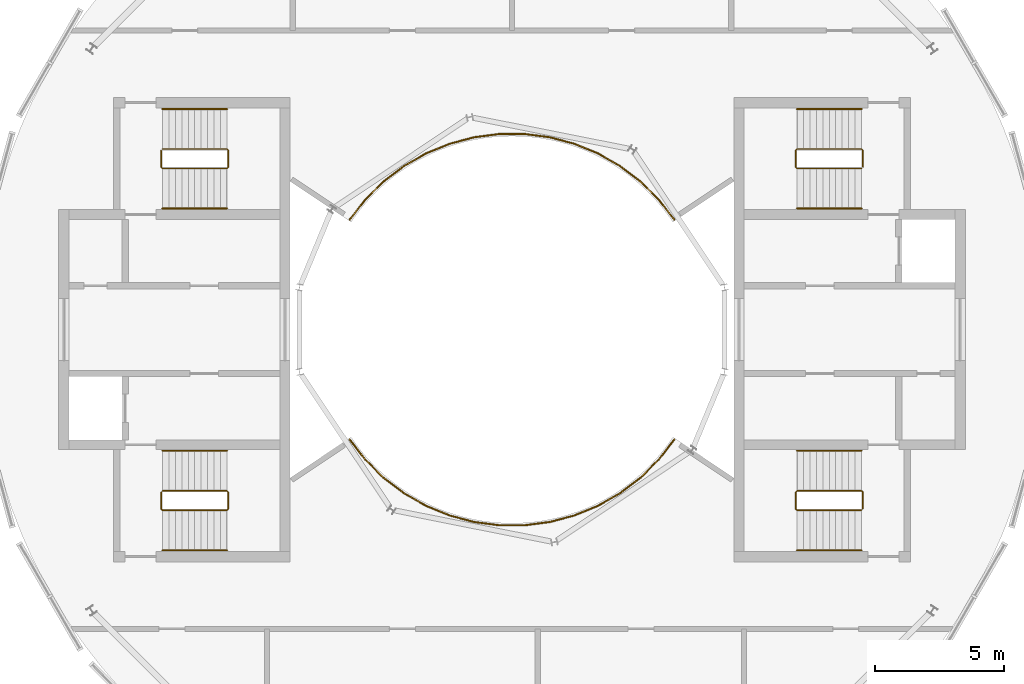
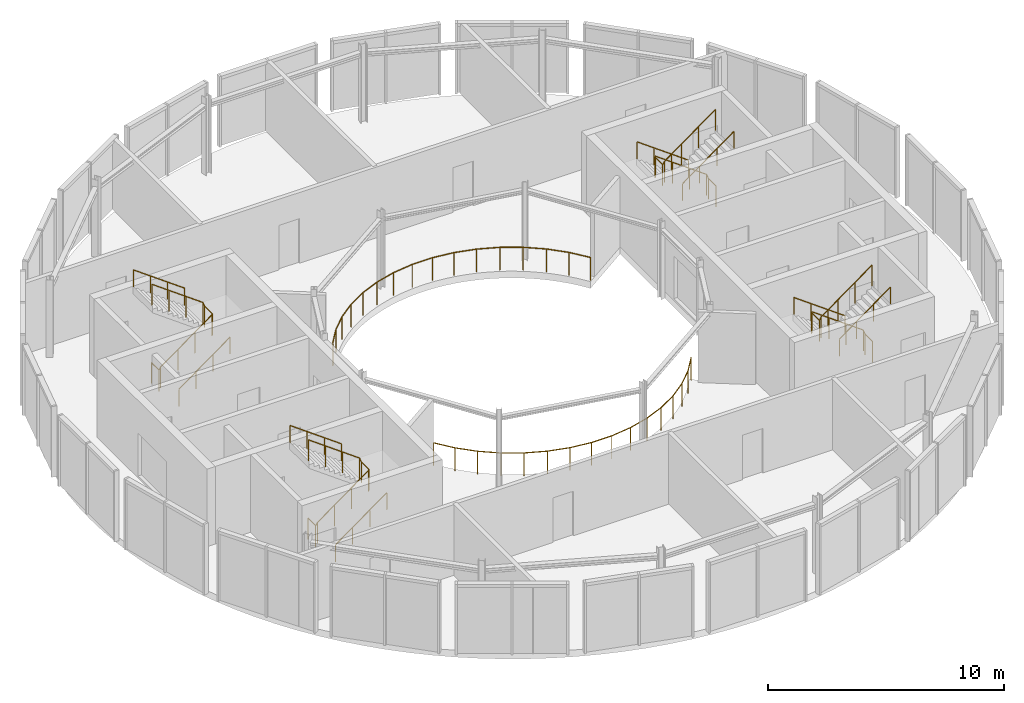
# One storey, part 12 of 12: 14 railings.
"""IFC4 building model written with IfcOpenShell, lengths in metres."""

from ifc_helpers import new_model, si_unit, direction, frame, origin, origin_2d, place, context, subcontext, project, spatial, circle, extrude, material, type_object, element, save


model = new_model("IFC4")

# Units and contexts
model_context = context("Model", 3, precision=1e-05, world=origin(), true_north=direction((0.0, 1.0)))
body_context = subcontext(model_context, "Body", "Model", "MODEL_VIEW")
ifc_project = project(units=[si_unit("LENGTHUNIT", "METRE"), si_unit("AREAUNIT", "SQUARE_METRE"), si_unit("VOLUMEUNIT", "CUBIC_METRE"), si_unit("PLANEANGLEUNIT", "RADIAN"), si_unit("MASSUNIT", "GRAM", prefix="KILO")], contexts=[model_context])

# Site, building, storey
site_placement = place(None, origin())
site = spatial("IfcSite", under=ifc_project, at=site_placement, CompositionType="ELEMENT")
building_placement = place(site_placement, origin())
building = spatial("IfcBuilding", under=site, at=building_placement, Name="Maasbend Ring Residences", CompositionType="ELEMENT")
storey_placement = place(building_placement, frame((0.0, 0.0, 261.5)))
storey = spatial("IfcBuildingStorey", under=building, at=storey_placement, Name="L75", CompositionType="ELEMENT", Elevation=261.5)

# Railings
ifc_material_1 = material(Name="Stainless steel 316 and glass", Category="steel")
railing_type_1 = type_object("IfcRailingType", Name="RL-GUARD", PredefinedType="GUARDRAIL", material=ifc_material_1)
railing_1_placement = place(storey_placement, frame((6.296875, 4.25537109375, 0.0)))
element("IfcRailing", 1, at=railing_1_placement, inside=storey, type_object=railing_type_1, Name="Well guard 1", PredefinedType="GUARDRAIL", context=body_context, shape_type="SweptSolid", body=[
    extrude(circle(Radius=0.02490234375, at=origin_2d()), frame((0.0, 0.0, 1.1748046875), z_axis=(-0.61260637429, 0.790388151593, 0.0), x_axis=(-0.790388151593, -0.61260637429, 0.0)), (0.0, 0.0, 1.0), 0.98876953125),
    extrude(circle(Radius=0.02490234375, at=origin_2d()), frame((-0.605712890625, 0.781494140625, 1.1748046875), z_axis=(-0.710063286319, 0.704137862511, 0.0), x_axis=(-0.704137862511, -0.710063286319, 0.0)), (0.0, 0.0, 1.0), 0.98876953125),
    extrude(circle(Radius=0.02490234375, at=origin_2d()), frame((-1.307861328125, 1.477783203125, 1.1748046875), z_axis=(-0.795414718638, 0.606065528944, 0.0), x_axis=(-0.606065528944, -0.795414718638, 0.0)), (0.0, 0.0, 1.0), 0.989013671875),
    extrude(circle(Radius=0.02490234375, at=origin_2d()), frame((-2.094482421875, 2.0771484375, 1.1748046875), z_axis=(-0.867436652983, 0.497547638987, 0.0), x_axis=(-0.497547638987, -0.867436652983, 0.0)), (0.0, 0.0, 1.0), 0.98876953125),
    extrude(circle(Radius=0.02490234375, at=origin_2d()), frame((-2.9521484375, 2.569091796875, 1.1748046875), z_axis=(-0.924683211941, 0.380737386599, 0.0), x_axis=(-0.380737386599, -0.924683211941, 0.0)), (0.0, 0.0, 1.0), 0.98876953125),
    extrude(circle(Radius=0.02490234375, at=origin_2d()), frame((-3.866455078125, 2.945556640625, 1.1748046875), z_axis=(-0.966279997956, 0.257493622348, 0.0), x_axis=(-0.257493622348, -0.966279997956, 0.0)), (0.0, 0.0, 1.0), 0.989013671875),
    extrude(circle(Radius=0.02490234375, at=origin_2d()), frame((-4.822021484375, 3.2001953125, 1.1748046875), z_axis=(-0.991531433773, 0.129866915878, 0.0), x_axis=(-0.129866915878, -0.991531433773, 0.0)), (0.0, 0.0, 1.0), 0.98876953125),
    extrude(circle(Radius=0.02490234375, at=origin_2d()), frame((-5.802490234375, 3.32861328125, 1.1748046875), z_axis=(-1.0, 0.0, 0.0), x_axis=(0.0, -1.0, 0.0)), (0.0, 0.0, 1.0), 0.98876953125),
    extrude(circle(Radius=0.02490234375, at=origin_2d()), frame((-6.791259765625, 3.32861328125, 1.1748046875), z_axis=(-0.991531433773, -0.129866915878, 0.0), x_axis=(0.129866915878, -0.991531433773, 0.0)), (0.0, 0.0, 1.0), 0.98876953125),
    extrude(circle(Radius=0.02490234375, at=origin_2d()), frame((-7.771728515625, 3.2001953125, 1.1748046875), z_axis=(-0.966279997956, -0.257493622348, 0.0), x_axis=(0.257493622348, -0.966279997956, 0.0)), (0.0, 0.0, 1.0), 0.989013671875),
    extrude(circle(Radius=0.02490234375, at=origin_2d()), frame((-8.727294921875, 2.945556640625, 1.1748046875), z_axis=(-0.924683211941, -0.380737386599, 0.0), x_axis=(0.380737386599, -0.924683211941, 0.0)), (0.0, 0.0, 1.0), 0.98876953125),
    extrude(circle(Radius=0.02490234375, at=origin_2d()), frame((-9.6416015625, 2.569091796875, 1.1748046875), z_axis=(-0.867436652983, -0.497547638987, 0.0), x_axis=(0.497547638987, -0.867436652983, 0.0)), (0.0, 0.0, 1.0), 0.98876953125),
    extrude(circle(Radius=0.02490234375, at=origin_2d()), frame((-10.499267578125, 2.0771484375, 1.1748046875), z_axis=(-0.795414718638, -0.606065528944, 0.0), x_axis=(0.606065528944, -0.795414718638, 0.0)), (0.0, 0.0, 1.0), 0.989013671875),
    extrude(circle(Radius=0.02490234375, at=origin_2d()), frame((-11.285888671875, 1.477783203125, 1.1748046875), z_axis=(-0.710063286319, -0.704137862511, 0.0), x_axis=(0.704137862511, -0.710063286319, 0.0)), (0.0, 0.0, 1.0), 0.98876953125),
    extrude(circle(Radius=0.02490234375, at=origin_2d()), frame((-11.988037109375, 0.781494140625, 1.1748046875), z_axis=(-0.61260637429, -0.790388151593, 0.0), x_axis=(0.790388151593, -0.61260637429, 0.0)), (0.0, 0.0, 1.0), 0.98876953125),
    extrude(circle(Radius=0.02001953125, at=origin_2d()), origin(), (0.0, 0.0, 1.0), 1.14990234375),
    extrude(circle(Radius=0.02001953125, at=origin_2d()), frame((-0.605712890625, 0.781494140625, 0.0)), (0.0, 0.0, 1.0), 1.14990234375),
    extrude(circle(Radius=0.02001953125, at=origin_2d()), frame((-1.307861328125, 1.477783203125, 0.0)), (0.0, 0.0, 1.0), 1.14990234375),
    extrude(circle(Radius=0.02001953125, at=origin_2d()), frame((-2.094482421875, 2.0771484375, 0.0)), (0.0, 0.0, 1.0), 1.14990234375),
    extrude(circle(Radius=0.02001953125, at=origin_2d()), frame((-2.9521484375, 2.569091796875, 0.0)), (0.0, 0.0, 1.0), 1.14990234375),
    extrude(circle(Radius=0.02001953125, at=origin_2d()), frame((-3.866455078125, 2.945556640625, 0.0)), (0.0, 0.0, 1.0), 1.14990234375),
    extrude(circle(Radius=0.02001953125, at=origin_2d()), frame((-4.822021484375, 3.2001953125, 0.0)), (0.0, 0.0, 1.0), 1.14990234375),
    extrude(circle(Radius=0.02001953125, at=origin_2d()), frame((-5.802490234375, 3.32861328125, 0.0)), (0.0, 0.0, 1.0), 1.14990234375),
    extrude(circle(Radius=0.02001953125, at=origin_2d()), frame((-6.791259765625, 3.32861328125, 0.0)), (0.0, 0.0, 1.0), 1.14990234375),
    extrude(circle(Radius=0.02001953125, at=origin_2d()), frame((-7.771728515625, 3.2001953125, 0.0)), (0.0, 0.0, 1.0), 1.14990234375),
    extrude(circle(Radius=0.02001953125, at=origin_2d()), frame((-8.727294921875, 2.945556640625, 0.0)), (0.0, 0.0, 1.0), 1.14990234375),
    extrude(circle(Radius=0.02001953125, at=origin_2d()), frame((-9.6416015625, 2.569091796875, 0.0)), (0.0, 0.0, 1.0), 1.14990234375),
    extrude(circle(Radius=0.02001953125, at=origin_2d()), frame((-10.499267578125, 2.0771484375, 0.0)), (0.0, 0.0, 1.0), 1.14990234375),
    extrude(circle(Radius=0.02001953125, at=origin_2d()), frame((-11.285888671875, 1.477783203125, 0.0)), (0.0, 0.0, 1.0), 1.14990234375),
    extrude(circle(Radius=0.02001953125, at=origin_2d()), frame((-11.988037109375, 0.781494140625, 0.0)), (0.0, 0.0, 1.0), 1.14990234375),
    extrude(circle(Radius=0.02001953125, at=origin_2d()), frame((-12.59375, 0.0, 0.0)), (0.0, 0.0, 1.0), 1.14990234375),
])
railing_2_placement = place(storey_placement, frame((-6.296875, -4.25537109375, 0.0)))
element("IfcRailing", 2, at=railing_2_placement, inside=storey, type_object=railing_type_1, Name="Well guard 2", PredefinedType="GUARDRAIL", context=body_context, shape_type="SweptSolid", body=[
    extrude(circle(Radius=0.02490234375, at=origin_2d()), frame((0.0, 0.0, 1.1748046875), z_axis=(0.61260637429, -0.790388151593, 0.0), x_axis=(0.790388151593, 0.61260637429, 0.0)), (0.0, 0.0, 1.0), 0.98876953125),
    extrude(circle(Radius=0.02490234375, at=origin_2d()), frame((0.605712890625, -0.781494140625, 1.1748046875), z_axis=(0.710063286319, -0.704137862511, 0.0), x_axis=(0.704137862511, 0.710063286319, 0.0)), (0.0, 0.0, 1.0), 0.98876953125),
    extrude(circle(Radius=0.02490234375, at=origin_2d()), frame((1.307861328125, -1.477783203125, 1.1748046875), z_axis=(0.795414718638, -0.606065528944, 0.0), x_axis=(0.606065528944, 0.795414718638, 0.0)), (0.0, 0.0, 1.0), 0.989013671875),
    extrude(circle(Radius=0.02490234375, at=origin_2d()), frame((2.094482421875, -2.0771484375, 1.1748046875), z_axis=(0.867436652983, -0.497547638987, 0.0), x_axis=(0.497547638987, 0.867436652983, 0.0)), (0.0, 0.0, 1.0), 0.98876953125),
    extrude(circle(Radius=0.02490234375, at=origin_2d()), frame((2.9521484375, -2.569091796875, 1.1748046875), z_axis=(0.924683211941, -0.380737386599, 0.0), x_axis=(0.380737386599, 0.924683211941, 0.0)), (0.0, 0.0, 1.0), 0.98876953125),
    extrude(circle(Radius=0.02490234375, at=origin_2d()), frame((3.866455078125, -2.945556640625, 1.1748046875), z_axis=(0.966279997956, -0.257493622348, 0.0), x_axis=(0.257493622348, 0.966279997956, 0.0)), (0.0, 0.0, 1.0), 0.989013671875),
    extrude(circle(Radius=0.02490234375, at=origin_2d()), frame((4.822021484375, -3.2001953125, 1.1748046875), z_axis=(0.991531433773, -0.129866915878, 0.0), x_axis=(0.129866915878, 0.991531433773, 0.0)), (0.0, 0.0, 1.0), 0.98876953125),
    extrude(circle(Radius=0.02490234375, at=origin_2d()), frame((5.802490234375, -3.32861328125, 1.1748046875), z_axis=(1.0, 0.0, 0.0), x_axis=(0.0, 1.0, 0.0)), (0.0, 0.0, 1.0), 0.98876953125),
    extrude(circle(Radius=0.02490234375, at=origin_2d()), frame((6.791259765625, -3.32861328125, 1.1748046875), z_axis=(0.991531433773, 0.129866915878, 0.0), x_axis=(-0.129866915878, 0.991531433773, 0.0)), (0.0, 0.0, 1.0), 0.98876953125),
    extrude(circle(Radius=0.02490234375, at=origin_2d()), frame((7.771728515625, -3.2001953125, 1.1748046875), z_axis=(0.966279997956, 0.257493622348, 0.0), x_axis=(-0.257493622348, 0.966279997956, 0.0)), (0.0, 0.0, 1.0), 0.989013671875),
    extrude(circle(Radius=0.02490234375, at=origin_2d()), frame((8.727294921875, -2.945556640625, 1.1748046875), z_axis=(0.924683211941, 0.380737386599, 0.0), x_axis=(-0.380737386599, 0.924683211941, 0.0)), (0.0, 0.0, 1.0), 0.98876953125),
    extrude(circle(Radius=0.02490234375, at=origin_2d()), frame((9.6416015625, -2.569091796875, 1.1748046875), z_axis=(0.867436652983, 0.497547638987, 0.0), x_axis=(-0.497547638987, 0.867436652983, 0.0)), (0.0, 0.0, 1.0), 0.98876953125),
    extrude(circle(Radius=0.02490234375, at=origin_2d()), frame((10.499267578125, -2.0771484375, 1.1748046875), z_axis=(0.795414718638, 0.606065528944, 0.0), x_axis=(-0.606065528944, 0.795414718638, 0.0)), (0.0, 0.0, 1.0), 0.989013671875),
    extrude(circle(Radius=0.02490234375, at=origin_2d()), frame((11.285888671875, -1.477783203125, 1.1748046875), z_axis=(0.710063286319, 0.704137862511, 0.0), x_axis=(-0.704137862511, 0.710063286319, 0.0)), (0.0, 0.0, 1.0), 0.98876953125),
    extrude(circle(Radius=0.02490234375, at=origin_2d()), frame((11.988037109375, -0.781494140625, 1.1748046875), z_axis=(0.61260637429, 0.790388151593, 0.0), x_axis=(-0.790388151593, 0.61260637429, 0.0)), (0.0, 0.0, 1.0), 0.98876953125),
    extrude(circle(Radius=0.02001953125, at=origin_2d()), origin(), (0.0, 0.0, 1.0), 1.14990234375),
    extrude(circle(Radius=0.02001953125, at=origin_2d()), frame((0.605712890625, -0.781494140625, 0.0)), (0.0, 0.0, 1.0), 1.14990234375),
    extrude(circle(Radius=0.02001953125, at=origin_2d()), frame((1.307861328125, -1.477783203125, 0.0)), (0.0, 0.0, 1.0), 1.14990234375),
    extrude(circle(Radius=0.02001953125, at=origin_2d()), frame((2.094482421875, -2.0771484375, 0.0)), (0.0, 0.0, 1.0), 1.14990234375),
    extrude(circle(Radius=0.02001953125, at=origin_2d()), frame((2.9521484375, -2.569091796875, 0.0)), (0.0, 0.0, 1.0), 1.14990234375),
    extrude(circle(Radius=0.02001953125, at=origin_2d()), frame((3.866455078125, -2.945556640625, 0.0)), (0.0, 0.0, 1.0), 1.14990234375),
    extrude(circle(Radius=0.02001953125, at=origin_2d()), frame((4.822021484375, -3.2001953125, 0.0)), (0.0, 0.0, 1.0), 1.14990234375),
    extrude(circle(Radius=0.02001953125, at=origin_2d()), frame((5.802490234375, -3.32861328125, 0.0)), (0.0, 0.0, 1.0), 1.14990234375),
    extrude(circle(Radius=0.02001953125, at=origin_2d()), frame((6.791259765625, -3.32861328125, 0.0)), (0.0, 0.0, 1.0), 1.14990234375),
    extrude(circle(Radius=0.02001953125, at=origin_2d()), frame((7.771728515625, -3.2001953125, 0.0)), (0.0, 0.0, 1.0), 1.14990234375),
    extrude(circle(Radius=0.02001953125, at=origin_2d()), frame((8.727294921875, -2.945556640625, 0.0)), (0.0, 0.0, 1.0), 1.14990234375),
    extrude(circle(Radius=0.02001953125, at=origin_2d()), frame((9.6416015625, -2.569091796875, 0.0)), (0.0, 0.0, 1.0), 1.14990234375),
    extrude(circle(Radius=0.02001953125, at=origin_2d()), frame((10.499267578125, -2.0771484375, 0.0)), (0.0, 0.0, 1.0), 1.14990234375),
    extrude(circle(Radius=0.02001953125, at=origin_2d()), frame((11.285888671875, -1.477783203125, 0.0)), (0.0, 0.0, 1.0), 1.14990234375),
    extrude(circle(Radius=0.02001953125, at=origin_2d()), frame((11.988037109375, -0.781494140625, 0.0)), (0.0, 0.0, 1.0), 1.14990234375),
    extrude(circle(Radius=0.02001953125, at=origin_2d()), frame((12.59375, 0.0, 0.0)), (0.0, 0.0, 1.0), 1.14990234375),
])
ifc_material_2 = material(Name="Stainless steel 316", Category="steel")
railing_type_2 = type_object("IfcRailingType", Name="STAIR GUARD 1100", PredefinedType="GUARDRAIL", material=ifc_material_2)
railing_3_placement = place(storey_placement, frame((13.60009765625, 6.300048828125, 0.0)))
element("IfcRailing", 3, at=railing_3_placement, inside=storey, type_object=railing_type_2, Name="L75 ST-E1 stair guard 1", PredefinedType="GUARDRAIL", context=body_context, shape_type="SweptSolid", body=[
    extrude(circle(Radius=0.02392578125, at=origin_2d()), frame((0.0, 0.0, 1.076171875), z_axis=(0.0, 1.0, 0.0), x_axis=(-1.0, 0.0, 0.0)), (0.0, 0.0, 1.0), 0.64990234375),
    extrude(circle(Radius=0.02392578125, at=origin_2d()), frame((0.0, 0.64990234375, 1.076171875), z_axis=(-0.256435381639, 0.256435381639, 0.931923704005), x_axis=(-0.707106781187, -0.707106781187, 0.0)), (0.0, 0.0, 1.0), 0.195068359375),
    extrude(circle(Radius=0.02392578125, at=origin_2d()), frame((-0.050048828125, 0.699951171875, 1.2578125), z_axis=(-0.808746330122, 0.0, 0.588157609416), x_axis=(0.0, -1.0, 0.0)), (0.0, 0.0, 1.0), 3.09130859375),
    extrude(circle(Radius=0.02392578125, at=origin_2d()), frame((-2.550048828125, 0.699951171875, 3.076171875), z_axis=(-0.707106781187, -0.707106781187, 0.0), x_axis=(0.707106781187, -0.707106781187, 0.0)), (0.0, 0.0, 1.0), 0.07080078125),
    extrude(circle(Radius=0.02392578125, at=origin_2d()), frame((-2.60009765625, 0.64990234375, 3.076171875), z_axis=(0.0, -1.0, 0.0), x_axis=(1.0, 0.0, 0.0)), (0.0, 0.0, 1.0), 0.64990234375),
    extrude(circle(Radius=0.02392578125, at=origin_2d()), frame((-2.60009765625, 0.0, 3.076171875), z_axis=(0.256435381639, -0.256435381639, 0.931923704005), x_axis=(0.707106781187, 0.707106781187, 0.0)), (0.0, 0.0, 1.0), 0.195068359375),
    extrude(circle(Radius=0.02392578125, at=origin_2d()), frame((-2.550048828125, -0.050048828125, 3.2578125), z_axis=(0.808746330122, 0.0, 0.588157609416), x_axis=(0.0, 1.0, 0.0)), (0.0, 0.0, 1.0), 3.09130859375),
    extrude(circle(Radius=0.02099609375, at=origin_2d()), origin(), (0.0, 0.0, 1.0), 1.052001953125),
    extrude(circle(Radius=0.02099609375, at=origin_2d()), frame((0.0, 0.64990234375, 0.0)), (0.0, 0.0, 1.0), 1.052001953125),
    extrude(circle(Radius=0.02099609375, at=origin_2d()), frame((-0.050048828125, 0.699951171875, 0.181884765625)), (0.0, 0.0, 1.0), 1.052001953125),
    extrude(circle(Radius=0.02099609375, at=origin_2d()), frame((-0.88330078125, 0.699951171875, 0.787841796875)), (0.0, 0.0, 1.0), 1.052001953125),
    extrude(circle(Radius=0.02099609375, at=origin_2d()), frame((-1.716796875, 0.699951171875, 1.39404296875)), (0.0, 0.0, 1.0), 1.052001953125),
    extrude(circle(Radius=0.02099609375, at=origin_2d()), frame((-2.550048828125, 0.699951171875, 2.0)), (0.0, 0.0, 1.0), 1.052001953125),
    extrude(circle(Radius=0.02099609375, at=origin_2d()), frame((-2.60009765625, 0.64990234375, 2.0)), (0.0, 0.0, 1.0), 1.052001953125),
    extrude(circle(Radius=0.02099609375, at=origin_2d()), frame((-2.60009765625, 0.0, 2.0)), (0.0, 0.0, 1.0), 1.052001953125),
    extrude(circle(Radius=0.02099609375, at=origin_2d()), frame((-2.550048828125, -0.050048828125, 2.181884765625)), (0.0, 0.0, 1.0), 1.052001953125),
    extrude(circle(Radius=0.02099609375, at=origin_2d()), frame((-1.716796875, -0.050048828125, 2.787841796875)), (0.0, 0.0, 1.0), 1.052001953125),
    extrude(circle(Radius=0.02099609375, at=origin_2d()), frame((-0.88330078125, -0.050048828125, 3.39404296875)), (0.0, 0.0, 1.0), 1.052001953125),
    extrude(circle(Radius=0.02099609375, at=origin_2d()), frame((-0.050048828125, -0.050048828125, 4.0)), (0.0, 0.0, 1.0), 1.052001953125),
])
railing_4_placement = place(storey_placement, frame((13.60009765625, -6.949951171875, 0.0)))
element("IfcRailing", 4, at=railing_4_placement, inside=storey, type_object=railing_type_2, Name="L75 ST-E2 stair guard 1", PredefinedType="GUARDRAIL", context=body_context, shape_type="SweptSolid", body=[
    extrude(circle(Radius=0.02392578125, at=origin_2d()), frame((0.0, 0.0, 1.076171875), z_axis=(0.0, 1.0, 0.0), x_axis=(-1.0, 0.0, 0.0)), (0.0, 0.0, 1.0), 0.64990234375),
    extrude(circle(Radius=0.02392578125, at=origin_2d()), frame((0.0, 0.64990234375, 1.076171875), z_axis=(-0.256435381639, 0.256435381639, 0.931923704005), x_axis=(-0.707106781187, -0.707106781187, 0.0)), (0.0, 0.0, 1.0), 0.195068359375),
    extrude(circle(Radius=0.02392578125, at=origin_2d()), frame((-0.050048828125, 0.699951171875, 1.2578125), z_axis=(-0.808746330122, 0.0, 0.588157609416), x_axis=(0.0, -1.0, 0.0)), (0.0, 0.0, 1.0), 3.09130859375),
    extrude(circle(Radius=0.02392578125, at=origin_2d()), frame((-2.550048828125, 0.699951171875, 3.076171875), z_axis=(-0.707106781187, -0.707106781187, 0.0), x_axis=(0.707106781187, -0.707106781187, 0.0)), (0.0, 0.0, 1.0), 0.07080078125),
    extrude(circle(Radius=0.02392578125, at=origin_2d()), frame((-2.60009765625, 0.64990234375, 3.076171875), z_axis=(0.0, -1.0, 0.0), x_axis=(1.0, 0.0, 0.0)), (0.0, 0.0, 1.0), 0.64990234375),
    extrude(circle(Radius=0.02392578125, at=origin_2d()), frame((-2.60009765625, 0.0, 3.076171875), z_axis=(0.256435381639, -0.256435381639, 0.931923704005), x_axis=(0.707106781187, 0.707106781187, 0.0)), (0.0, 0.0, 1.0), 0.195068359375),
    extrude(circle(Radius=0.02392578125, at=origin_2d()), frame((-2.550048828125, -0.050048828125, 3.2578125), z_axis=(0.808746330122, 0.0, 0.588157609416), x_axis=(0.0, 1.0, 0.0)), (0.0, 0.0, 1.0), 3.09130859375),
    extrude(circle(Radius=0.02099609375, at=origin_2d()), origin(), (0.0, 0.0, 1.0), 1.052001953125),
    extrude(circle(Radius=0.02099609375, at=origin_2d()), frame((0.0, 0.64990234375, 0.0)), (0.0, 0.0, 1.0), 1.052001953125),
    extrude(circle(Radius=0.02099609375, at=origin_2d()), frame((-0.050048828125, 0.699951171875, 0.181884765625)), (0.0, 0.0, 1.0), 1.052001953125),
    extrude(circle(Radius=0.02099609375, at=origin_2d()), frame((-0.88330078125, 0.699951171875, 0.787841796875)), (0.0, 0.0, 1.0), 1.052001953125),
    extrude(circle(Radius=0.02099609375, at=origin_2d()), frame((-1.716796875, 0.699951171875, 1.39404296875)), (0.0, 0.0, 1.0), 1.052001953125),
    extrude(circle(Radius=0.02099609375, at=origin_2d()), frame((-2.550048828125, 0.699951171875, 2.0)), (0.0, 0.0, 1.0), 1.052001953125),
    extrude(circle(Radius=0.02099609375, at=origin_2d()), frame((-2.60009765625, 0.64990234375, 2.0)), (0.0, 0.0, 1.0), 1.052001953125),
    extrude(circle(Radius=0.02099609375, at=origin_2d()), frame((-2.60009765625, 0.0, 2.0)), (0.0, 0.0, 1.0), 1.052001953125),
    extrude(circle(Radius=0.02099609375, at=origin_2d()), frame((-2.550048828125, -0.050048828125, 2.181884765625)), (0.0, 0.0, 1.0), 1.052001953125),
    extrude(circle(Radius=0.02099609375, at=origin_2d()), frame((-1.716796875, -0.050048828125, 2.787841796875)), (0.0, 0.0, 1.0), 1.052001953125),
    extrude(circle(Radius=0.02099609375, at=origin_2d()), frame((-0.88330078125, -0.050048828125, 3.39404296875)), (0.0, 0.0, 1.0), 1.052001953125),
    extrude(circle(Radius=0.02099609375, at=origin_2d()), frame((-0.050048828125, -0.050048828125, 4.0)), (0.0, 0.0, 1.0), 1.052001953125),
])
railing_5_placement = place(storey_placement, frame((-13.60009765625, -6.300048828125, 0.0)))
element("IfcRailing", 5, at=railing_5_placement, inside=storey, type_object=railing_type_2, Name="L75 ST-W1 stair guard 1", PredefinedType="GUARDRAIL", context=body_context, shape_type="SweptSolid", body=[
    extrude(circle(Radius=0.02392578125, at=origin_2d()), frame((0.0, 0.0, 1.076171875), z_axis=(0.0, -1.0, 0.0), x_axis=(1.0, 0.0, 0.0)), (0.0, 0.0, 1.0), 0.64990234375),
    extrude(circle(Radius=0.02392578125, at=origin_2d()), frame((0.0, -0.64990234375, 1.076171875), z_axis=(0.256435381639, -0.256435381639, 0.931923704005), x_axis=(0.707106781187, 0.707106781187, 0.0)), (0.0, 0.0, 1.0), 0.195068359375),
    extrude(circle(Radius=0.02392578125, at=origin_2d()), frame((0.050048828125, -0.699951171875, 1.2578125), z_axis=(0.808746330122, 0.0, 0.588157609416), x_axis=(0.0, 1.0, 0.0)), (0.0, 0.0, 1.0), 3.09130859375),
    extrude(circle(Radius=0.02392578125, at=origin_2d()), frame((2.550048828125, -0.699951171875, 3.076171875), z_axis=(0.707106781187, 0.707106781187, 0.0), x_axis=(-0.707106781187, 0.707106781187, 0.0)), (0.0, 0.0, 1.0), 0.07080078125),
    extrude(circle(Radius=0.02392578125, at=origin_2d()), frame((2.60009765625, -0.64990234375, 3.076171875), z_axis=(0.0, 1.0, 0.0), x_axis=(-1.0, 0.0, 0.0)), (0.0, 0.0, 1.0), 0.64990234375),
    extrude(circle(Radius=0.02392578125, at=origin_2d()), frame((2.60009765625, 0.0, 3.076171875), z_axis=(-0.256435381639, 0.256435381639, 0.931923704005), x_axis=(-0.707106781187, -0.707106781187, 0.0)), (0.0, 0.0, 1.0), 0.195068359375),
    extrude(circle(Radius=0.02392578125, at=origin_2d()), frame((2.550048828125, 0.050048828125, 3.2578125), z_axis=(-0.808746330122, 0.0, 0.588157609416), x_axis=(0.0, -1.0, 0.0)), (0.0, 0.0, 1.0), 3.09130859375),
    extrude(circle(Radius=0.02099609375, at=origin_2d()), origin(), (0.0, 0.0, 1.0), 1.052001953125),
    extrude(circle(Radius=0.02099609375, at=origin_2d()), frame((0.0, -0.64990234375, 0.0)), (0.0, 0.0, 1.0), 1.052001953125),
    extrude(circle(Radius=0.02099609375, at=origin_2d()), frame((0.050048828125, -0.699951171875, 0.181884765625)), (0.0, 0.0, 1.0), 1.052001953125),
    extrude(circle(Radius=0.02099609375, at=origin_2d()), frame((0.88330078125, -0.699951171875, 0.787841796875)), (0.0, 0.0, 1.0), 1.052001953125),
    extrude(circle(Radius=0.02099609375, at=origin_2d()), frame((1.716796875, -0.699951171875, 1.39404296875)), (0.0, 0.0, 1.0), 1.052001953125),
    extrude(circle(Radius=0.02099609375, at=origin_2d()), frame((2.550048828125, -0.699951171875, 2.0)), (0.0, 0.0, 1.0), 1.052001953125),
    extrude(circle(Radius=0.02099609375, at=origin_2d()), frame((2.60009765625, -0.64990234375, 2.0)), (0.0, 0.0, 1.0), 1.052001953125),
    extrude(circle(Radius=0.02099609375, at=origin_2d()), frame((2.60009765625, 0.0, 2.0)), (0.0, 0.0, 1.0), 1.052001953125),
    extrude(circle(Radius=0.02099609375, at=origin_2d()), frame((2.550048828125, 0.050048828125, 2.181884765625)), (0.0, 0.0, 1.0), 1.052001953125),
    extrude(circle(Radius=0.02099609375, at=origin_2d()), frame((1.716796875, 0.050048828125, 2.787841796875)), (0.0, 0.0, 1.0), 1.052001953125),
    extrude(circle(Radius=0.02099609375, at=origin_2d()), frame((0.88330078125, 0.050048828125, 3.39404296875)), (0.0, 0.0, 1.0), 1.052001953125),
    extrude(circle(Radius=0.02099609375, at=origin_2d()), frame((0.050048828125, 0.050048828125, 4.0)), (0.0, 0.0, 1.0), 1.052001953125),
])
railing_6_placement = place(storey_placement, frame((-13.60009765625, 6.949951171875, 0.0)))
element("IfcRailing", 6, at=railing_6_placement, inside=storey, type_object=railing_type_2, Name="L75 ST-W2 stair guard 1", PredefinedType="GUARDRAIL", context=body_context, shape_type="SweptSolid", body=[
    extrude(circle(Radius=0.02392578125, at=origin_2d()), frame((0.0, 0.0, 1.076171875), z_axis=(0.0, -1.0, 0.0), x_axis=(1.0, 0.0, 0.0)), (0.0, 0.0, 1.0), 0.64990234375),
    extrude(circle(Radius=0.02392578125, at=origin_2d()), frame((0.0, -0.64990234375, 1.076171875), z_axis=(0.256435381639, -0.256435381639, 0.931923704005), x_axis=(0.707106781187, 0.707106781187, 0.0)), (0.0, 0.0, 1.0), 0.195068359375),
    extrude(circle(Radius=0.02392578125, at=origin_2d()), frame((0.050048828125, -0.699951171875, 1.2578125), z_axis=(0.808746330122, 0.0, 0.588157609416), x_axis=(0.0, 1.0, 0.0)), (0.0, 0.0, 1.0), 3.09130859375),
    extrude(circle(Radius=0.02392578125, at=origin_2d()), frame((2.550048828125, -0.699951171875, 3.076171875), z_axis=(0.707106781187, 0.707106781187, 0.0), x_axis=(-0.707106781187, 0.707106781187, 0.0)), (0.0, 0.0, 1.0), 0.07080078125),
    extrude(circle(Radius=0.02392578125, at=origin_2d()), frame((2.60009765625, -0.64990234375, 3.076171875), z_axis=(0.0, 1.0, 0.0), x_axis=(-1.0, 0.0, 0.0)), (0.0, 0.0, 1.0), 0.64990234375),
    extrude(circle(Radius=0.02392578125, at=origin_2d()), frame((2.60009765625, 0.0, 3.076171875), z_axis=(-0.256435381639, 0.256435381639, 0.931923704005), x_axis=(-0.707106781187, -0.707106781187, 0.0)), (0.0, 0.0, 1.0), 0.195068359375),
    extrude(circle(Radius=0.02392578125, at=origin_2d()), frame((2.550048828125, 0.050048828125, 3.2578125), z_axis=(-0.808746330122, 0.0, 0.588157609416), x_axis=(0.0, -1.0, 0.0)), (0.0, 0.0, 1.0), 3.09130859375),
    extrude(circle(Radius=0.02099609375, at=origin_2d()), origin(), (0.0, 0.0, 1.0), 1.052001953125),
    extrude(circle(Radius=0.02099609375, at=origin_2d()), frame((0.0, -0.64990234375, 0.0)), (0.0, 0.0, 1.0), 1.052001953125),
    extrude(circle(Radius=0.02099609375, at=origin_2d()), frame((0.050048828125, -0.699951171875, 0.181884765625)), (0.0, 0.0, 1.0), 1.052001953125),
    extrude(circle(Radius=0.02099609375, at=origin_2d()), frame((0.88330078125, -0.699951171875, 0.787841796875)), (0.0, 0.0, 1.0), 1.052001953125),
    extrude(circle(Radius=0.02099609375, at=origin_2d()), frame((1.716796875, -0.699951171875, 1.39404296875)), (0.0, 0.0, 1.0), 1.052001953125),
    extrude(circle(Radius=0.02099609375, at=origin_2d()), frame((2.550048828125, -0.699951171875, 2.0)), (0.0, 0.0, 1.0), 1.052001953125),
    extrude(circle(Radius=0.02099609375, at=origin_2d()), frame((2.60009765625, -0.64990234375, 2.0)), (0.0, 0.0, 1.0), 1.052001953125),
    extrude(circle(Radius=0.02099609375, at=origin_2d()), frame((2.60009765625, 0.0, 2.0)), (0.0, 0.0, 1.0), 1.052001953125),
    extrude(circle(Radius=0.02099609375, at=origin_2d()), frame((2.550048828125, 0.050048828125, 2.181884765625)), (0.0, 0.0, 1.0), 1.052001953125),
    extrude(circle(Radius=0.02099609375, at=origin_2d()), frame((1.716796875, 0.050048828125, 2.787841796875)), (0.0, 0.0, 1.0), 1.052001953125),
    extrude(circle(Radius=0.02099609375, at=origin_2d()), frame((0.88330078125, 0.050048828125, 3.39404296875)), (0.0, 0.0, 1.0), 1.052001953125),
    extrude(circle(Radius=0.02099609375, at=origin_2d()), frame((0.050048828125, 0.050048828125, 4.0)), (0.0, 0.0, 1.0), 1.052001953125),
])
ifc_material_3 = material(Name="Stainless steel 316", Category="steel")
railing_type_3 = type_object("IfcRailingType", Name="STAIR HANDRAIL 900", PredefinedType="HANDRAIL", material=ifc_material_3)
railing_7_placement = place(storey_placement, frame((13.550048828125, 8.550048828125, 0.181884765625)))
element("IfcRailing", 7, at=railing_7_placement, inside=storey, type_object=railing_type_3, Name="L75 ST-E1 stair handrail 1", PredefinedType="HANDRAIL", context=body_context, shape_type="SweptSolid", body=[
    extrude(circle(Radius=0.02392578125, at=origin_2d()), frame((0.0, 0.0, 0.8759765625), z_axis=(-0.808746330122, 0.0, 0.588157609416), x_axis=(0.0, -1.0, 0.0)), (0.0, 0.0, 1.0), 3.09130859375),
    extrude(circle(Radius=0.02099609375, at=origin_2d()), origin(), (0.0, 0.0, 1.0), 0.851806640625),
    extrude(circle(Radius=0.02099609375, at=origin_2d()), frame((-0.833251953125, 0.0, 0.60595703125)), (0.0, 0.0, 1.0), 0.851806640625),
    extrude(circle(Radius=0.02099609375, at=origin_2d()), frame((-1.666748046875, 0.0, 1.212158203125)), (0.0, 0.0, 1.0), 0.851806640625),
    extrude(circle(Radius=0.02099609375, at=origin_2d()), frame((-2.5, 0.0, 1.818115234375)), (0.0, 0.0, 1.0), 0.851806640625),
])
railing_8_placement = place(storey_placement, frame((11.050048828125, 4.699951171875, 2.181884765625)))
element("IfcRailing", 8, at=railing_8_placement, inside=storey, type_object=railing_type_3, Name="L75 ST-E1 stair handrail 2", PredefinedType="HANDRAIL", context=body_context, shape_type="SweptSolid", body=[
    extrude(circle(Radius=0.02392578125, at=origin_2d()), frame((0.0, 0.0, 0.8759765625), z_axis=(0.808746330122, 0.0, 0.588157609416), x_axis=(0.0, 1.0, 0.0)), (0.0, 0.0, 1.0), 3.09130859375),
    extrude(circle(Radius=0.02099609375, at=origin_2d()), origin(), (0.0, 0.0, 1.0), 0.851806640625),
    extrude(circle(Radius=0.02099609375, at=origin_2d()), frame((0.833251953125, 0.0, 0.60595703125)), (0.0, 0.0, 1.0), 0.851806640625),
    extrude(circle(Radius=0.02099609375, at=origin_2d()), frame((1.666748046875, 0.0, 1.212158203125)), (0.0, 0.0, 1.0), 0.851806640625),
    extrude(circle(Radius=0.02099609375, at=origin_2d()), frame((2.5, 0.0, 1.818115234375)), (0.0, 0.0, 1.0), 0.851806640625),
])
railing_9_placement = place(storey_placement, frame((13.550048828125, -4.699951171875, 0.181884765625)))
element("IfcRailing", 9, at=railing_9_placement, inside=storey, type_object=railing_type_3, Name="L75 ST-E2 stair handrail 1", PredefinedType="HANDRAIL", context=body_context, shape_type="SweptSolid", body=[
    extrude(circle(Radius=0.02392578125, at=origin_2d()), frame((0.0, 0.0, 0.8759765625), z_axis=(-0.808746330122, 0.0, 0.588157609416), x_axis=(0.0, -1.0, 0.0)), (0.0, 0.0, 1.0), 3.09130859375),
    extrude(circle(Radius=0.02099609375, at=origin_2d()), origin(), (0.0, 0.0, 1.0), 0.851806640625),
    extrude(circle(Radius=0.02099609375, at=origin_2d()), frame((-0.833251953125, 0.0, 0.60595703125)), (0.0, 0.0, 1.0), 0.851806640625),
    extrude(circle(Radius=0.02099609375, at=origin_2d()), frame((-1.666748046875, 0.0, 1.212158203125)), (0.0, 0.0, 1.0), 0.851806640625),
    extrude(circle(Radius=0.02099609375, at=origin_2d()), frame((-2.5, 0.0, 1.818115234375)), (0.0, 0.0, 1.0), 0.851806640625),
])
for number, where, name in (
    (10, (11.050048828125, -8.550048828125, 2.181884765625), "L75 ST-E2 stair handrail 2"),
    (11, (-13.550048828125, -8.550048828125, 0.181884765625), "L75 ST-W1 stair handrail 1"),
):
    element("IfcRailing", number, at=place(storey_placement, frame(where)), inside=storey, type_object=railing_type_3, Name=name, PredefinedType="HANDRAIL", context=body_context, shape_type="SweptSolid", body=[
        extrude(circle(Radius=0.02392578125, at=origin_2d()), frame((0.0, 0.0, 0.8759765625), z_axis=(0.808746330122, 0.0, 0.588157609416), x_axis=(0.0, 1.0, 0.0)), (0.0, 0.0, 1.0), 3.09130859375),
        extrude(circle(Radius=0.02099609375, at=origin_2d()), origin(), (0.0, 0.0, 1.0), 0.851806640625),
        extrude(circle(Radius=0.02099609375, at=origin_2d()), frame((0.833251953125, 0.0, 0.60595703125)), (0.0, 0.0, 1.0), 0.851806640625),
        extrude(circle(Radius=0.02099609375, at=origin_2d()), frame((1.666748046875, 0.0, 1.212158203125)), (0.0, 0.0, 1.0), 0.851806640625),
        extrude(circle(Radius=0.02099609375, at=origin_2d()), frame((2.5, 0.0, 1.818115234375)), (0.0, 0.0, 1.0), 0.851806640625),
    ])
railing_10_placement = place(storey_placement, frame((-11.050048828125, -4.699951171875, 2.181884765625)))
element("IfcRailing", 12, at=railing_10_placement, inside=storey, type_object=railing_type_3, Name="L75 ST-W1 stair handrail 2", PredefinedType="HANDRAIL", context=body_context, shape_type="SweptSolid", body=[
    extrude(circle(Radius=0.02392578125, at=origin_2d()), frame((0.0, 0.0, 0.8759765625), z_axis=(-0.808746330122, 0.0, 0.588157609416), x_axis=(0.0, -1.0, 0.0)), (0.0, 0.0, 1.0), 3.09130859375),
    extrude(circle(Radius=0.02099609375, at=origin_2d()), origin(), (0.0, 0.0, 1.0), 0.851806640625),
    extrude(circle(Radius=0.02099609375, at=origin_2d()), frame((-0.833251953125, 0.0, 0.60595703125)), (0.0, 0.0, 1.0), 0.851806640625),
    extrude(circle(Radius=0.02099609375, at=origin_2d()), frame((-1.666748046875, 0.0, 1.212158203125)), (0.0, 0.0, 1.0), 0.851806640625),
    extrude(circle(Radius=0.02099609375, at=origin_2d()), frame((-2.5, 0.0, 1.818115234375)), (0.0, 0.0, 1.0), 0.851806640625),
])
railing_11_placement = place(storey_placement, frame((-13.550048828125, 4.699951171875, 0.181884765625)))
element("IfcRailing", 13, at=railing_11_placement, inside=storey, type_object=railing_type_3, Name="L75 ST-W2 stair handrail 1", PredefinedType="HANDRAIL", context=body_context, shape_type="SweptSolid", body=[
    extrude(circle(Radius=0.02392578125, at=origin_2d()), frame((0.0, 0.0, 0.8759765625), z_axis=(0.808746330122, 0.0, 0.588157609416), x_axis=(0.0, 1.0, 0.0)), (0.0, 0.0, 1.0), 3.09130859375),
    extrude(circle(Radius=0.02099609375, at=origin_2d()), origin(), (0.0, 0.0, 1.0), 0.851806640625),
    extrude(circle(Radius=0.02099609375, at=origin_2d()), frame((0.833251953125, 0.0, 0.60595703125)), (0.0, 0.0, 1.0), 0.851806640625),
    extrude(circle(Radius=0.02099609375, at=origin_2d()), frame((1.666748046875, 0.0, 1.212158203125)), (0.0, 0.0, 1.0), 0.851806640625),
    extrude(circle(Radius=0.02099609375, at=origin_2d()), frame((2.5, 0.0, 1.818115234375)), (0.0, 0.0, 1.0), 0.851806640625),
])
railing_12_placement = place(storey_placement, frame((-11.050048828125, 8.550048828125, 2.181884765625)))
element("IfcRailing", 14, at=railing_12_placement, inside=storey, type_object=railing_type_3, Name="L75 ST-W2 stair handrail 2", PredefinedType="HANDRAIL", context=body_context, shape_type="SweptSolid", body=[
    extrude(circle(Radius=0.02392578125, at=origin_2d()), frame((0.0, 0.0, 0.8759765625), z_axis=(-0.808746330122, 0.0, 0.588157609416), x_axis=(0.0, -1.0, 0.0)), (0.0, 0.0, 1.0), 3.09130859375),
    extrude(circle(Radius=0.02099609375, at=origin_2d()), origin(), (0.0, 0.0, 1.0), 0.851806640625),
    extrude(circle(Radius=0.02099609375, at=origin_2d()), frame((-0.833251953125, 0.0, 0.60595703125)), (0.0, 0.0, 1.0), 0.851806640625),
    extrude(circle(Radius=0.02099609375, at=origin_2d()), frame((-1.666748046875, 0.0, 1.212158203125)), (0.0, 0.0, 1.0), 0.851806640625),
    extrude(circle(Radius=0.02099609375, at=origin_2d()), frame((-2.5, 0.0, 1.818115234375)), (0.0, 0.0, 1.0), 0.851806640625),
])

save(model, "model.ifc")
